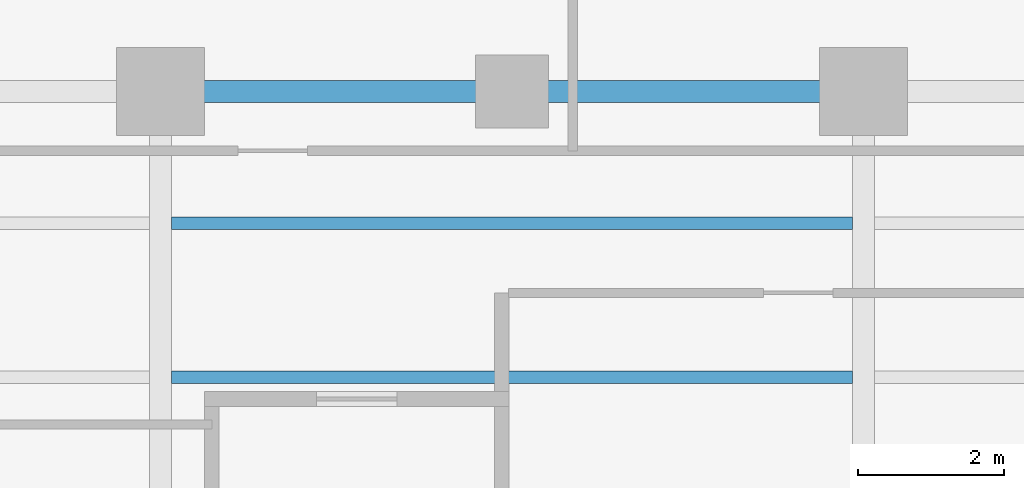
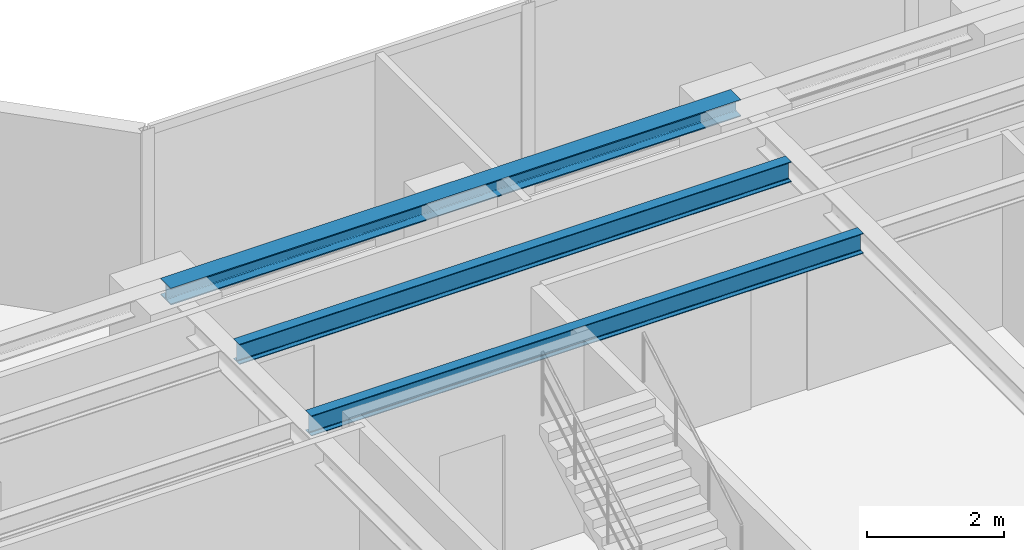
# One storey, part 5 of 26: 3 beams.
"""IFC4 building model written with IfcOpenShell, lengths in metres."""

from ifc_helpers import new_model, si_unit, direction, frame, origin, origin_2d, place, context, subcontext, project, spatial, i_section, extrude, material, material_profile, profile_set, type_object, element, save


model = new_model("IFC4")

# Units and contexts
model_context = context("Model", 3, precision=1e-05, world=origin(), true_north=direction((0.0, 1.0)))
body_context = subcontext(model_context, "Body", "Model", "MODEL_VIEW")
ifc_project = project(units=[si_unit("LENGTHUNIT", "METRE"), si_unit("AREAUNIT", "SQUARE_METRE"), si_unit("VOLUMEUNIT", "CUBIC_METRE"), si_unit("PLANEANGLEUNIT", "RADIAN"), si_unit("MASSUNIT", "GRAM", prefix="KILO")], contexts=[model_context])

# Site, building, storey
site_placement = place(None, origin())
site = spatial("IfcSite", under=ifc_project, at=site_placement, CompositionType="ELEMENT")
building_placement = place(site_placement, origin())
building = spatial("IfcBuilding", under=site, at=building_placement, Name="Kolvaren Waterfront Exchange", CompositionType="ELEMENT")
storey_placement = place(building_placement, frame((0.0, 0.0, 195.60009765625)))
storey = spatial("IfcBuildingStorey", under=building, at=storey_placement, Name="L50", CompositionType="ELEMENT", Elevation=195.60009765625)

# Beams
ifc_material = material(Name="Steel S355", Category="steel")
ifc_material_profile_1 = material_profile(ifc_material, i_section(OverallWidth=0.300048828125, OverallDepth=0.300048828125, WebThickness=0.010986328125, FlangeThickness=0.01904296875, FilletRadius=0.027099609375, at=origin_2d()), Name="HEB300")
ifc_profile_set_1 = profile_set([ifc_material_profile_1], Name="Steel S355")
beam_type_1 = type_object("IfcBeamType", Name="STR-BM-HEB300", PredefinedType="SPANDREL", material=ifc_profile_set_1)
beam_placement = place(storey_placement, frame((27.199951171875, 17.39990234375, 3.27001953125), z_axis=(1.0, 0.0, 0.0), x_axis=(0.0, 1.0, 0.0)))
element("IfcBeam", 1, at=beam_placement, inside=storey, type_object=beam_type_1, Name="L50 east-arm spandrel N2", PredefinedType="SPANDREL", context=body_context, shape_type="SweptSolid", body=[
    extrude(i_section(OverallWidth=0.300048828125, OverallDepth=0.300048828125, WebThickness=0.010986328125, FlangeThickness=0.01904296875, FilletRadius=0.027099609375, at=origin_2d()), origin(), (0.0, 0.0, 1.0), 9.60009765625),
])
ifc_material_profile_2 = material_profile(ifc_material, i_section(OverallWidth=0.169921875, OverallDepth=0.360107421875, WebThickness=0.008056640625, FlangeThickness=0.0126953125, FilletRadius=0.01806640625, at=origin_2d()), Name="IPE360")
ifc_profile_set_2 = profile_set([ifc_material_profile_2], Name="Steel S355")
beam_type_2 = type_object("IfcBeamType", Name="STR-BM-IPE360", PredefinedType="JOIST", material=ifc_profile_set_2)
for number, where, z_axis, x_axis, name in (
    (2, (27.35205078125, 13.5, 3.239990234375), (1.0, 0.0, 0.0), (0.0, 1.0, 0.0), "L50 east-arm composite joist 2A"),
    (3, (27.35205078125, 15.60009765625, 3.239990234375), (1.0, 0.0, 0.0), (0.0, 1.0, 0.0), "L50 east-arm composite joist 2C"),
):
    element("IfcBeam", number, at=place(storey_placement, frame(where, z_axis=z_axis, x_axis=x_axis)), inside=storey, type_object=beam_type_2, Name=name, PredefinedType="JOIST", context=body_context, shape_type="SweptSolid", body=[
        extrude(i_section(OverallWidth=0.169921875, OverallDepth=0.360107421875, WebThickness=0.008056640625, FlangeThickness=0.0126953125, FilletRadius=0.01806640625, at=origin_2d()), origin(), (0.0, 0.0, 1.0), 9.2958984375),
    ])

save(model, "model.ifc")
